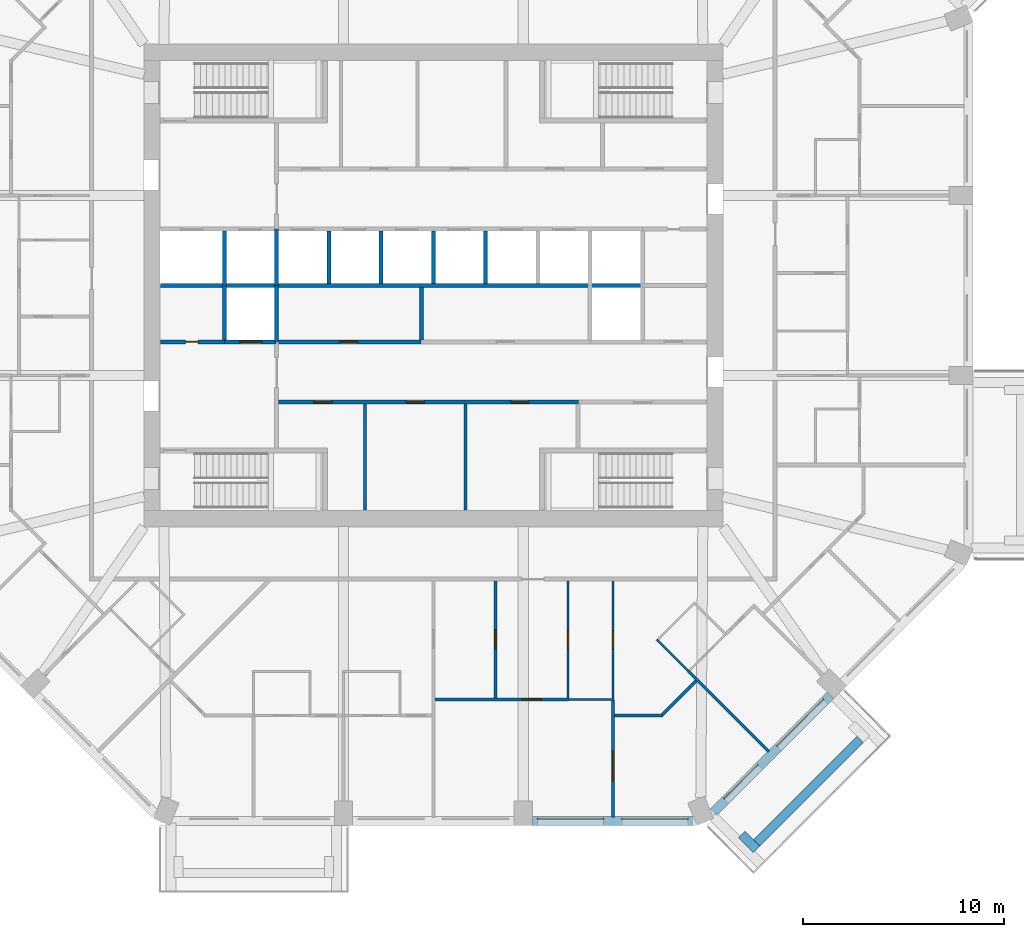
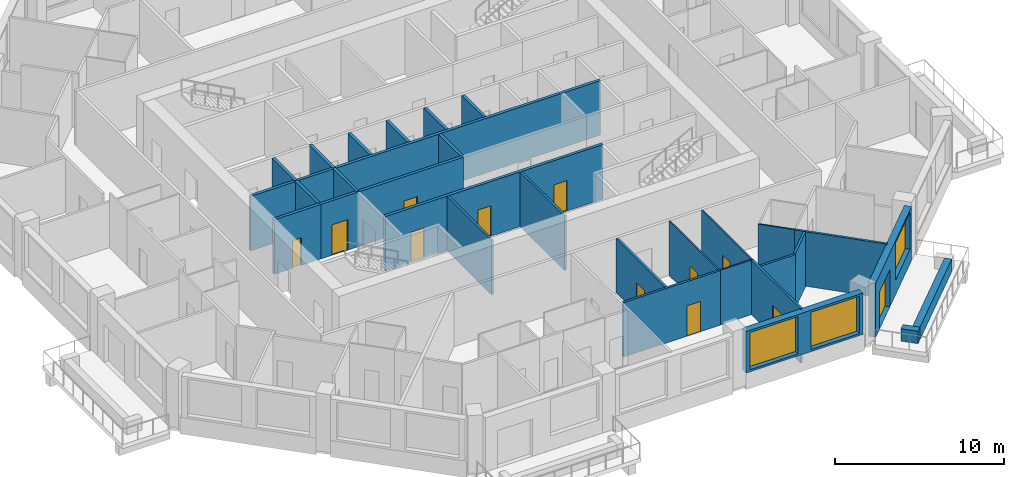
# One storey, part 5 of 12: 30 walls, 12 doors, 3 windows, 15 openings.
"""IFC4 building model written with IfcOpenShell, lengths in metres."""

import ifcopenshell
import ifcopenshell.guid

model = None  # the IFC model being written
_history = None  # IfcOwnerHistory: only IFC2X3 demands one
_inside = {}  # id of a spatial element -> (the spatial element, [elements in it])
_under = {}  # id of a project, library or spatial element -> (it, [spatial elements below it])
_declared = {}  # id of a project -> (the project, [libraries it declares])
_typed = {}  # id of a type object -> (the type object, [elements of that type])
_made_of = {}  # id of a material, layer set ... -> (it, [elements and type objects made of it])


def new_model(schema):
    """Start an empty IFC model of exactly this schema.

    Asked for "IFC4X3", IfcOpenShell would pick the latest addendum, in which some entities
    have other attributes; the version numbers below select the first issue.
    IFC2X3 requires an IfcOwnerHistory on every rooted entity: one is made here for all.
    """
    global model, _history
    if schema == "IFC4X3":
        model = ifcopenshell.file(schema_version=(4, 3, 0, 0))
    else:
        model = ifcopenshell.file(schema=schema)
    _inside.clear()
    _under.clear()
    _declared.clear()
    _typed.clear()
    _made_of.clear()
    _history = None
    if model.schema == "IFC2X3":
        org = make("IfcOrganization", Name="unknown")
        user = make(
            "IfcPersonAndOrganization",
            ThePerson=make("IfcPerson", FamilyName="unknown"),
            TheOrganization=org,
        )
        app = make(
            "IfcApplication",
            ApplicationDeveloper=org,
            Version="unknown",
            ApplicationFullName="unknown",
            ApplicationIdentifier="unknown",
        )
        _history = make(
            "IfcOwnerHistory",
            OwningUser=user,
            OwningApplication=app,
            ChangeAction="ADDED",
            CreationDate=0,
        )
    return model


def make(cls, **values):
    """One entity of the class cls with the attributes given. An attribute that is None is left unset."""
    return model.create_entity(
        cls, **{name: value for name, value in values.items() if value is not None}
    )


def rooted(cls, **values):
    """An entity with a GlobalId (a new one), such as an element, a storey or a relation."""
    return make(cls, GlobalId=ifcopenshell.guid.new(), OwnerHistory=_history, **values)


def si_unit(unit_type, name, prefix=None):
    """IfcSIUnit, for example si_unit("LENGTHUNIT", "METRE", prefix="MILLI")."""
    return make("IfcSIUnit", UnitType=unit_type, Prefix=prefix, Name=name)


def assignment(units):
    """IfcUnitAssignment: the units of a project."""
    return None if units is None else make("IfcUnitAssignment", Units=units)


def point(xyz):
    """IfcCartesianPoint."""
    return None if xyz is None else make("IfcCartesianPoint", Coordinates=xyz)


def direction(xyz):
    """IfcDirection."""
    return None if xyz is None else make("IfcDirection", DirectionRatios=xyz)


def frame(location, z_axis=None, x_axis=None):
    """IfcAxis2Placement3D, a coordinate frame: its origin and axes. An axis left out is left unset."""
    return make(
        "IfcAxis2Placement3D",
        Location=point(location),
        Axis=direction(z_axis),
        RefDirection=direction(x_axis),
    )


def frame_2d(location, x_axis=None):
    """IfcAxis2Placement2D, a coordinate frame in the plane: its origin and x axis."""
    return make(
        "IfcAxis2Placement2D", Location=point(location), RefDirection=direction(x_axis)
    )


def origin():
    """The frame at (0, 0, 0) with its axes left unset."""
    return frame((0.0, 0.0, 0.0))


def place(relative_to, where):
    """IfcLocalPlacement: puts the frame where relative to a parent placement (None: the world)."""
    return make(
        "IfcLocalPlacement", PlacementRelTo=relative_to, RelativePlacement=where
    )


def context(
    kind, dimensions, precision=None, world=None, true_north=None, identifier=None
):
    """IfcGeometricRepresentationContext, for example the 3D "Model" context."""
    return make(
        "IfcGeometricRepresentationContext",
        ContextIdentifier=identifier,
        ContextType=kind,
        CoordinateSpaceDimension=dimensions,
        Precision=precision,
        WorldCoordinateSystem=world,
        TrueNorth=true_north,
    )


def subcontext(parent, identifier, kind, view, scale=None):
    """IfcGeometricRepresentationSubContext, for example "Body" below "Model"."""
    return make(
        "IfcGeometricRepresentationSubContext",
        ContextIdentifier=identifier,
        ContextType=kind,
        ParentContext=parent,
        TargetScale=scale,
        TargetView=view,
    )


def project(units=None, contexts=None):
    """IfcProject with its units and contexts."""
    return rooted(
        "IfcProject",
        Name="project",
        RepresentationContexts=contexts,
        UnitsInContext=assignment(units),
    )


def spatial(cls, under=None, at=None, **own):
    """A site, building, storey or space (cls), placed at a placement, below another one or the project."""
    s = rooted(cls, ObjectPlacement=at, **own)
    if under is not None:
        _under.setdefault(under.id(), (under, []))[1].append(s)
    return s


def profile(cls, at=None, kind="AREA", **sizes):
    """A parametric profile (cls). Its sizes go by their IFC names, for example OverallWidth=200.0."""
    return make(cls, ProfileType=kind, Position=at, **sizes)


def rectangle(**sizes):
    """IfcRectangleProfileDef."""
    return profile("IfcRectangleProfileDef", **sizes)


def extrude(swept, where, along, depth):
    """IfcExtrudedAreaSolid: the profile swept, set in the frame where, extruded along a direction by depth."""
    return make(
        "IfcExtrudedAreaSolid",
        SweptArea=swept,
        Position=where,
        ExtrudedDirection=direction(along),
        Depth=depth,
    )


def shape(context_of_items, identifier, shape_type, items):
    """IfcShapeRepresentation: the items that make up one representation, for example the "Body"."""
    return make(
        "IfcShapeRepresentation",
        ContextOfItems=context_of_items,
        RepresentationIdentifier=identifier,
        RepresentationType=shape_type,
        Items=items,
    )


def material(Name=None, Category=None):
    """IfcMaterial."""
    return make("IfcMaterial", Name=Name, Category=Category)


def layer(
    of_material, thickness, ventilated=None, Name=None, Category=None, Priority=None
):
    """IfcMaterialLayer: one layer of a wall or slab, of a material (None: an air gap)."""
    return make(
        "IfcMaterialLayer",
        Material=of_material,
        LayerThickness=thickness,
        IsVentilated=ventilated,
        Name=Name,
        Category=Category,
        Priority=Priority,
    )


def layer_set(layers, Name=None):
    """IfcMaterialLayerSet."""
    return make("IfcMaterialLayerSet", MaterialLayers=layers, LayerSetName=Name)


def made_of(thing, what):
    """Note that an element or type object is made of a material, layer set ...; save() writes the relation."""
    if what is not None:
        _made_of.setdefault(what.id(), (what, []))[1].append(thing)
    return thing


def type_object(cls, material=None, **own):
    """A type object (cls), such as IfcWallType, which elements share."""
    return made_of(rooted(cls, **own), material)


def element(
    cls,
    number,
    at=None,
    inside=None,
    cuts=None,
    type_object=None,
    material=None,
    context=None,
    identifier="Body",
    shape_type=None,
    held_by="IfcProductDefinitionShape",
    body=None,
    shapes=None,
    **own,
):
    """One element of the class cls, such as IfcWall. Its Tag is "e" and its number.

    at: its placement. inside: the storey or other place that contains it. cuts: it is an
    opening in that element (IfcRelVoidsElement). A single representation is given by context,
    identifier, shape_type and body (its items); several are given by shapes. held_by: the class
    of the entity that holds the representations. save() writes the other relations.
    """
    e = rooted(cls, Tag="e%d" % number, ObjectPlacement=at, **own)
    if body is not None:
        shapes = [shape(context, identifier, shape_type, body)]
    if shapes is not None:
        e.Representation = make(held_by, Representations=shapes)
    if inside is not None:
        _inside.setdefault(inside.id(), (inside, []))[1].append(e)
    if cuts is not None:
        rooted(
            "IfcRelVoidsElement", RelatingBuildingElement=cuts, RelatedOpeningElement=e
        )
    if type_object is not None:
        _typed.setdefault(type_object.id(), (type_object, []))[1].append(e)
    return made_of(e, material)


def fill(opening, filler):
    """IfcRelFillsElement: the door or window that sits in an opening."""
    return rooted(
        "IfcRelFillsElement",
        RelatingOpeningElement=opening,
        RelatedBuildingElement=filler,
    )


def aggregate(whole, parts):
    """IfcRelAggregates: a whole, such as a stair, and the parts it consists of."""
    return rooted("IfcRelAggregates", RelatingObject=whole, RelatedObjects=parts)


def save(model, path):
    """Write the relations noted so far, then the file.

    IfcRelAggregates (storeys below a building ...), IfcRelContainedInSpatialStructure (elements
    in a storey), IfcRelDefinesByType, IfcRelAssociatesMaterial and IfcRelDeclares: one each for
    every whole, place, type object, material and project.
    """
    for whole, parts in _under.values():
        aggregate(whole, parts)
    for where, things in _inside.values():
        rooted(
            "IfcRelContainedInSpatialStructure",
            RelatedElements=things,
            RelatingStructure=where,
        )
    for kind, things in _typed.values():
        rooted("IfcRelDefinesByType", RelatedObjects=things, RelatingType=kind)
    for what, things in _made_of.values():
        rooted("IfcRelAssociatesMaterial", RelatedObjects=things, RelatingMaterial=what)
    for by, libraries in _declared.values():
        rooted("IfcRelDeclares", RelatingContext=by, RelatedDefinitions=libraries)
    model.write(path)


model = new_model("IFC4")

# Units and contexts
model_context = context("Model", 3, precision=1e-05, world=origin(), true_north=direction((0.0, 1.0)))
body_context = subcontext(model_context, "Body", "Model", "MODEL_VIEW")
ifc_project = project(units=[si_unit("LENGTHUNIT", "METRE"), si_unit("AREAUNIT", "SQUARE_METRE"), si_unit("VOLUMEUNIT", "CUBIC_METRE"), si_unit("PLANEANGLEUNIT", "RADIAN"), si_unit("MASSUNIT", "GRAM", prefix="KILO")], contexts=[model_context])

# Site, building, storey
site_placement = place(None, origin())
site = spatial("IfcSite", under=ifc_project, at=site_placement, CompositionType="ELEMENT")
building_placement = place(site_placement, origin())
building = spatial("IfcBuilding", under=site, at=building_placement, Name="Msitu Wima Residences", CompositionType="ELEMENT")
storey_placement = place(building_placement, frame((0.0, 0.0, 123.300048828125)))
storey = spatial("IfcBuildingStorey", under=building, at=storey_placement, Name="L28", CompositionType="ELEMENT", Elevation=123.300048828125)

# Walls
ifc_material_1 = material(Name="Facing brick")
ifc_layer_1 = layer(ifc_material_1, 0.06494140625, Name="Facing brick")
ifc_material_2 = material(Name="Concrete C40/50", Category="concrete")
ifc_layer_2 = layer(ifc_material_2, 0.156005859375, Name="Concrete C40/50")
ifc_material_3 = material(Name="Waterproofing membrane")
ifc_layer_3 = layer(ifc_material_3, 0.00390625, Name="Waterproofing membrane")
ifc_material_4 = material(Name="Planting soil and planting")
ifc_layer_4 = layer(ifc_material_4, 0.22509765625, Name="Planting soil and planting")
ifc_layer_set_1 = layer_set([ifc_layer_1, ifc_layer_2, ifc_layer_3, ifc_layer_4], Name="Concrete C40/50")
wall_type_1 = type_object("IfcWallType", Name="Balcony planter PLANTER PL450", PredefinedType="USERDEFINED", material=ifc_layer_set_1)
wall_1_placement = place(storey_placement, frame((16.0751953125, -27.725830078125, 0.0), z_axis=(0.0, 0.0, 1.0), x_axis=(0.707106781187, 0.707106781187, 0.0)))
element("IfcWall", 1, at=wall_1_placement, inside=storey, type_object=wall_type_1, Name="Balcony planter SE0 L28", ObjectType="PLANTER", PredefinedType="USERDEFINED", context=body_context, shape_type="SweptSolid", body=[
    extrude(rectangle(XDim=7.288330078125, YDim=0.449951171875, at=frame_2d((3.64404296875, 0.0))), origin(), (0.0, 0.0, 1.0), 0.89990234375),
])
wall_2_placement = place(storey_placement, frame((15.332763671875, -27.301513671875, 0.0), z_axis=(0.0, 0.0, 1.0), x_axis=(0.707106781187, -0.707106781187, 0.0)))
element("IfcWall", 2, at=wall_2_placement, inside=storey, type_object=wall_type_1, Name="Balcony planter SE0 L28", ObjectType="PLANTER", PredefinedType="USERDEFINED", context=body_context, shape_type="SweptSolid", body=[
    extrude(rectangle(XDim=1.050048828125, YDim=0.449951171875, at=frame_2d((0.52490234375, 0.0))), origin(), (0.0, 0.0, 1.0), 0.89990234375),
])

# Wall, openings, windows
ifc_material_5 = material(Name="Brick (red buff mix)", Category="masonry")
ifc_layer_5 = layer(ifc_material_5, 0.449951171875)
ifc_layer_set_2 = layer_set([ifc_layer_5], Name="Brick (red buff mix)")
wall_type_2 = type_object("IfcWallType", Name="Brick infill wall BW450", PredefinedType="SOLIDWALL", material=ifc_layer_set_2)
wall_3_placement = place(storey_placement, frame((4.918701171875, -26.625, 0.89990234375), z_axis=(0.0, 0.0, 1.0), x_axis=(1.0, 0.0, 0.0)))
wall_3 = element("IfcWall", 3, at=wall_3_placement, inside=storey, type_object=wall_type_2, Name="Brick infill wall L28 S2", PredefinedType="SOLIDWALL", context=body_context, shape_type="SweptSolid", body=[
    extrude(rectangle(XDim=8.0, YDim=0.449951171875, at=frame_2d((4.0, 0.0))), origin(), (0.0, 0.0, 1.0), 3.0),
])
opening_1_placement = place(wall_3_placement, frame((0.25, 0.0, 0.14990234375)))
opening_1 = element("IfcOpeningElement", 4, at=opening_1_placement, cuts=wall_3, Name="Opening W27-29.020", PredefinedType="OPENING", context=body_context, shape_type="SweptSolid", body=[
    extrude(rectangle(XDim=3.300048828125, YDim=2.699951171875, at=frame_2d((1.64990234375, 1.35009765625))), frame((0.0, 0.23486328125, 0.0), z_axis=(0.0, -1.0, 0.0), x_axis=(1.0, 0.0, 0.0)), (0.0, 0.0, 1.0), 0.469970703125),
])
opening_2_placement = place(wall_3_placement, frame((4.4501953125, 0.0, 0.14990234375)))
opening_2 = element("IfcOpeningElement", 5, at=opening_2_placement, cuts=wall_3, Name="Opening W27-29.021", PredefinedType="OPENING", context=body_context, shape_type="SweptSolid", body=[
    extrude(rectangle(XDim=3.300048828125, YDim=2.699951171875, at=frame_2d((1.64990234375, 1.35009765625))), frame((0.0, 0.23486328125, 0.0), z_axis=(0.0, -1.0, 0.0), x_axis=(1.0, 0.0, 0.0)), (0.0, 0.0, 1.0), 0.469970703125),
])
ifc_material_6 = material(Name="Anodised aluminium, bronze finish, clear low-emissivity double glazing", Category="aluminium")
window_type = type_object("IfcWindowType", Name="Window W3300x2700", PartitioningType="DOUBLE_PANEL_VERTICAL", PredefinedType="WINDOW", material=ifc_material_6)
window_1_placement = place(opening_1_placement, origin())
window_1 = element("IfcWindow", 6, at=window_1_placement, inside=storey, type_object=window_type, Name="Window L28 S2.1", OverallHeight=2.699951171875, OverallWidth=3.300048828125, PartitioningType="SINGLE_PANEL", PredefinedType="WINDOW", context=body_context, shape_type="SweptSolid", body=[
    extrude(rectangle(XDim=3.300048828125, YDim=2.699951171875, at=frame_2d((1.64990234375, 1.35009765625))), frame((0.0, 0.135009765625, 0.0), z_axis=(0.0, -1.0, 0.0), x_axis=(1.0, 0.0, 0.0)), (0.0, 0.0, 1.0), 0.06005859375),
])
fill(opening_1, window_1)
window_2_placement = place(opening_2_placement, origin())
window_2 = element("IfcWindow", 7, at=window_2_placement, inside=storey, type_object=window_type, Name="Window L28 S2.2", OverallHeight=2.699951171875, OverallWidth=3.300048828125, PartitioningType="SINGLE_PANEL", PredefinedType="WINDOW", context=body_context, shape_type="SweptSolid", body=[
    extrude(rectangle(XDim=3.300048828125, YDim=2.699951171875, at=frame_2d((1.64990234375, 1.35009765625))), frame((0.0, 0.135009765625, 0.0), z_axis=(0.0, -1.0, 0.0), x_axis=(1.0, 0.0, 0.0)), (0.0, 0.0, 1.0), 0.06005859375),
])
fill(opening_2, window_2)

# Wall, openings, door, window
wall_4_placement = place(storey_placement, frame((13.909423828125, -26.214599609375, 0.0), z_axis=(0.0, 0.0, 1.0), x_axis=(0.707106781187, 0.707106781187, 0.0)))
wall_4 = element("IfcWall", 8, at=wall_4_placement, inside=storey, type_object=wall_type_2, Name="Brick infill wall L28 SE0", PredefinedType="SOLIDWALL", context=body_context, shape_type="SweptSolid", body=[
    extrude(rectangle(XDim=8.251220703125, YDim=0.449951171875, at=frame_2d((4.12548828125, 0.0))), origin(), (0.0, 0.0, 1.0), 3.89990234375),
])
opening_3_placement = place(wall_4_placement, frame((0.86279296875, 0.0, 0.0)))
opening_3 = element("IfcOpeningElement", 9, at=opening_3_placement, cuts=wall_4, Name="Opening D27-29.006", PredefinedType="OPENING", context=body_context, shape_type="SweptSolid", body=[
    extrude(rectangle(XDim=2.39990234375, YDim=2.699951171875, at=frame_2d((1.199951171875, 1.35009765625))), frame((0.0, 0.23486328125, 0.0), z_axis=(0.0, -1.0, 0.0), x_axis=(1.0, 0.0, 0.0)), (0.0, 0.0, 1.0), 0.469970703125),
])
opening_4_placement = place(wall_4_placement, frame((4.57568359375, 0.0, 1.050048828125)))
opening_4 = element("IfcOpeningElement", 10, at=opening_4_placement, cuts=wall_4, Name="Opening W27-29.022", PredefinedType="OPENING", context=body_context, shape_type="SweptSolid", body=[
    extrude(rectangle(XDim=3.300048828125, YDim=2.699951171875, at=frame_2d((1.64990234375, 1.35009765625))), frame((0.0, 0.23486328125, 0.0), z_axis=(0.0, -1.0, 0.0), x_axis=(1.0, 0.0, 0.0)), (0.0, 0.0, 1.0), 0.469970703125),
])
door_type_1 = type_object("IfcDoorType", Name="Balcony door D2400x2700", OperationType="SLIDING_TO_LEFT", PredefinedType="DOOR", material=ifc_material_6)
door_1_placement = place(opening_3_placement, origin())
door_1 = element("IfcDoor", 11, at=door_1_placement, inside=storey, type_object=door_type_1, Name="Balcony door L28 SE0", OperationType="SINGLE_SWING_LEFT", OverallHeight=2.699951171875, OverallWidth=2.39990234375, PredefinedType="DOOR", context=body_context, shape_type="SweptSolid", body=[
    extrude(rectangle(XDim=2.39990234375, YDim=2.699951171875, at=frame_2d((1.199951171875, 1.35009765625))), frame((0.0, 0.1298828125, 0.0), z_axis=(0.0, -1.0, 0.0), x_axis=(1.0, 0.0, 0.0)), (0.0, 0.0, 1.0), 0.050048828125),
])
fill(opening_3, door_1)
window_3_placement = place(opening_4_placement, origin())
window_3 = element("IfcWindow", 12, at=window_3_placement, inside=storey, type_object=window_type, Name="Window L28 SE0.2", OverallHeight=2.699951171875, OverallWidth=3.300048828125, PartitioningType="SINGLE_PANEL", PredefinedType="WINDOW", context=body_context, shape_type="SweptSolid", body=[
    extrude(rectangle(XDim=3.300048828125, YDim=2.699951171875, at=frame_2d((1.64990234375, 1.35009765625))), frame((0.0, 0.135009765625, 0.0), z_axis=(0.0, -1.0, 0.0), x_axis=(1.0, 0.0, 0.0)), (0.0, 0.0, 1.0), 0.06005859375),
])
fill(opening_4, window_3)

# Wall, opening, door
ifc_material_7 = material(Name="Plaster")
ifc_layer_6 = layer(ifc_material_7, 0.011962890625, Name="Plaster")
ifc_material_8 = material(Name="Concrete blockwork", Category="masonry")
ifc_layer_7 = layer(ifc_material_8, 0.176025390625, Name="Concrete blockwork")
ifc_layer_8 = layer(ifc_material_7, 0.011962890625, Name="Plaster")
ifc_layer_set_3 = layer_set([ifc_layer_6, ifc_layer_7, ifc_layer_8], Name="Concrete blockwork")
wall_type_3 = type_object("IfcWallType", Name="Corridor wall FW200", PredefinedType="PARTITIONING", material=ifc_layer_set_3)
wall_5_placement = place(storey_placement, frame((-7.820068359375, -2.800048828125, 0.0), z_axis=(0.0, 0.0, 1.0), x_axis=(1.0, 0.0, 0.0)))
wall_5 = element("IfcWall", 13, at=wall_5_placement, inside=storey, type_object=wall_type_3, Name="Corridor wall", PredefinedType="PARTITIONING", context=body_context, shape_type="SweptSolid", body=[
    extrude(rectangle(XDim=7.199951171875, YDim=0.199951171875, at=frame_2d((3.60009765625, 0.0))), origin(), (0.0, 0.0, 1.0), 3.949951171875),
])
opening_5_placement = place(wall_5_placement, frame((3.14990234375, 0.0, 0.0)))
opening_5 = element("IfcOpeningElement", 14, at=opening_5_placement, cuts=wall_5, Name="Opening D27-29.029", PredefinedType="OPENING", context=body_context, shape_type="SweptSolid", body=[
    extrude(rectangle(XDim=0.89990234375, YDim=2.199951171875, at=frame_2d((0.449951171875, 1.10009765625))), frame((0.0, 0.10986328125, 0.0), z_axis=(0.0, -1.0, 0.0), x_axis=(1.0, 0.0, 0.0)), (0.0, 0.0, 1.0), 0.219970703125),
])
ifc_material_9 = material(Name="Timber flush door", Category="wood")
door_type_2 = type_object("IfcDoorType", Name="Service door D05 900x2200", OperationType="SINGLE_SWING_LEFT", PredefinedType="DOOR", material=ifc_material_9)
door_2_placement = place(opening_5_placement, origin())
door_2 = element("IfcDoor", 15, at=door_2_placement, inside=storey, type_object=door_type_2, Name="Service door", OperationType="SINGLE_SWING_LEFT", OverallHeight=2.199951171875, OverallWidth=0.89990234375, PredefinedType="DOOR", context=body_context, shape_type="SweptSolid", body=[
    extrude(rectangle(XDim=0.89990234375, YDim=2.199951171875, at=frame_2d((0.449951171875, 1.10009765625))), frame((0.0, 0.02490234375, 0.0), z_axis=(0.0, -1.0, 0.0), x_axis=(1.0, 0.0, 0.0)), (0.0, 0.0, 1.0), 0.050048828125),
])
fill(opening_5, door_2)

# Wall, openings, doors
wall_6_placement = place(storey_placement, frame((-7.699951171875, -5.800048828125, 0.0), z_axis=(0.0, 0.0, 1.0), x_axis=(1.0, 0.0, 0.0)))
wall_6 = element("IfcWall", 16, at=wall_6_placement, inside=storey, type_object=wall_type_3, Name="Corridor wall", PredefinedType="PARTITIONING", context=body_context, shape_type="SweptSolid", body=[
    extrude(rectangle(XDim=14.919921875, YDim=0.199951171875, at=frame_2d((7.4599609375, 0.0))), origin(), (0.0, 0.0, 1.0), 3.949951171875),
])
opening_6_placement = place(wall_6_placement, frame((1.75, 0.0, 0.0)))
opening_6 = element("IfcOpeningElement", 17, at=opening_6_placement, cuts=wall_6, Name="Opening D27-29.021", PredefinedType="OPENING", context=body_context, shape_type="SweptSolid", body=[
    extrude(rectangle(XDim=0.89990234375, YDim=2.199951171875, at=frame_2d((0.449951171875, 1.10009765625))), frame((0.0, 0.10986328125, 0.0), z_axis=(0.0, -1.0, 0.0), x_axis=(1.0, 0.0, 0.0)), (0.0, 0.0, 1.0), 0.219970703125),
])
opening_7_placement = place(wall_6_placement, frame((6.35009765625, 0.0, 0.0)))
opening_7 = element("IfcOpeningElement", 18, at=opening_7_placement, cuts=wall_6, Name="Opening D27-29.022", PredefinedType="OPENING", context=body_context, shape_type="SweptSolid", body=[
    extrude(rectangle(XDim=0.89990234375, YDim=2.199951171875, at=frame_2d((0.449951171875, 1.10009765625))), frame((0.0, 0.10986328125, 0.0), z_axis=(0.0, -1.0, 0.0), x_axis=(1.0, 0.0, 0.0)), (0.0, 0.0, 1.0), 0.219970703125),
])
opening_8_placement = place(wall_6_placement, frame((11.550048828125, 0.0, 0.0)))
opening_8 = element("IfcOpeningElement", 19, at=opening_8_placement, cuts=wall_6, Name="Opening D27-29.023", PredefinedType="OPENING", context=body_context, shape_type="SweptSolid", body=[
    extrude(rectangle(XDim=0.89990234375, YDim=2.199951171875, at=frame_2d((0.449951171875, 1.10009765625))), frame((0.0, 0.10986328125, 0.0), z_axis=(0.0, -1.0, 0.0), x_axis=(1.0, 0.0, 0.0)), (0.0, 0.0, 1.0), 0.219970703125),
])
door_3_placement = place(opening_6_placement, origin())
door_3 = element("IfcDoor", 20, at=door_3_placement, inside=storey, type_object=door_type_2, Name="Service door", OperationType="SINGLE_SWING_LEFT", OverallHeight=2.199951171875, OverallWidth=0.89990234375, PredefinedType="DOOR", context=body_context, shape_type="SweptSolid", body=[
    extrude(rectangle(XDim=0.89990234375, YDim=2.199951171875, at=frame_2d((0.449951171875, 1.10009765625))), frame((0.0, 0.02490234375, 0.0), z_axis=(0.0, -1.0, 0.0), x_axis=(1.0, 0.0, 0.0)), (0.0, 0.0, 1.0), 0.050048828125),
])
fill(opening_6, door_3)
door_4_placement = place(opening_7_placement, origin())
door_4 = element("IfcDoor", 21, at=door_4_placement, inside=storey, type_object=door_type_2, Name="Service door", OperationType="SINGLE_SWING_RIGHT", OverallHeight=2.199951171875, OverallWidth=0.89990234375, PredefinedType="DOOR", context=body_context, shape_type="SweptSolid", body=[
    extrude(rectangle(XDim=0.89990234375, YDim=2.199951171875, at=frame_2d((0.449951171875, 1.10009765625))), frame((0.0, 0.02490234375, 0.0), z_axis=(0.0, -1.0, 0.0), x_axis=(1.0, 0.0, 0.0)), (0.0, 0.0, 1.0), 0.050048828125),
])
fill(opening_7, door_4)
door_5_placement = place(opening_8_placement, origin())
door_5 = element("IfcDoor", 22, at=door_5_placement, inside=storey, type_object=door_type_2, Name="Service door", OperationType="SINGLE_SWING_RIGHT", OverallHeight=2.199951171875, OverallWidth=0.89990234375, PredefinedType="DOOR", context=body_context, shape_type="SweptSolid", body=[
    extrude(rectangle(XDim=0.89990234375, YDim=2.199951171875, at=frame_2d((0.449951171875, 1.10009765625))), frame((0.0, 0.02490234375, 0.0), z_axis=(0.0, -1.0, 0.0), x_axis=(1.0, 0.0, 0.0)), (0.0, 0.0, 1.0), 0.050048828125),
])
fill(opening_8, door_5)

# Wall
ifc_layer_9 = layer(ifc_material_7, 0.011962890625, Name="Plaster")
ifc_layer_10 = layer(ifc_material_8, 0.1259765625, Name="Concrete blockwork")
ifc_layer_11 = layer(ifc_material_7, 0.011962890625, Name="Plaster")
ifc_layer_set_4 = layer_set([ifc_layer_9, ifc_layer_10, ifc_layer_11], Name="Concrete blockwork")
wall_type_4 = type_object("IfcWallType", Name="Partition PW150", PredefinedType="PARTITIONING", material=ifc_layer_set_4)
wall_7_placement = place(storey_placement, frame((-3.39990234375, -11.169921875, 0.0), z_axis=(0.0, 0.0, 1.0), x_axis=(0.0, 1.0, 0.0)))
element("IfcWall", 23, at=wall_7_placement, inside=storey, type_object=wall_type_4, Name="Partition", PredefinedType="PARTITIONING", context=body_context, shape_type="SweptSolid", body=[
    extrude(rectangle(XDim=5.27001953125, YDim=0.14990234375, at=frame_2d((2.635009765625, 0.0))), origin(), (0.0, 0.0, 1.0), 3.949951171875),
])

# Wall, opening, door
wall_8_placement = place(storey_placement, frame((0.074951171875, -20.60009765625, 0.0), z_axis=(0.0, 0.0, 1.0), x_axis=(1.0, 0.0, 0.0)))
wall_8 = element("IfcWall", 24, at=wall_8_placement, inside=storey, type_object=wall_type_4, Name="Partition", PredefinedType="PARTITIONING", context=body_context, shape_type="SweptSolid", body=[
    extrude(rectangle(XDim=6.64501953125, YDim=0.14990234375, at=frame_2d((3.322509765625, 0.0))), origin(), (0.0, 0.0, 1.0), 3.949951171875),
])
opening_9_placement = place(wall_8_placement, frame((4.35009765625, 0.0, 0.0)))
opening_9 = element("IfcOpeningElement", 25, at=opening_9_placement, cuts=wall_8, Name="Opening D27-29.069", PredefinedType="OPENING", context=body_context, shape_type="SweptSolid", body=[
    extrude(rectangle(XDim=0.949951171875, YDim=2.199951171875, at=frame_2d((0.47509765625, 1.10009765625))), frame((0.0, 0.0849609375, 0.0), z_axis=(0.0, -1.0, 0.0), x_axis=(1.0, 0.0, 0.0)), (0.0, 0.0, 1.0), 0.169921875),
])
door_type_3 = type_object("IfcDoorType", Name="Room door D12 950x2200", OperationType="SINGLE_SWING_LEFT", PredefinedType="DOOR", material=ifc_material_9)
door_6_placement = place(opening_9_placement, origin())
door_6 = element("IfcDoor", 26, at=door_6_placement, inside=storey, type_object=door_type_3, Name="Room door", OperationType="SINGLE_SWING_LEFT", OverallHeight=2.199951171875, OverallWidth=0.949951171875, PredefinedType="DOOR", context=body_context, shape_type="SweptSolid", body=[
    extrude(rectangle(XDim=0.949951171875, YDim=2.199951171875, at=frame_2d((0.47509765625, 1.10009765625))), frame((0.0, 0.02490234375, 0.0), z_axis=(0.0, -1.0, 0.0), x_axis=(1.0, 0.0, 0.0)), (0.0, 0.0, 1.0), 0.050048828125),
])
fill(opening_9, door_6)

# Wall
wall_9_placement = place(storey_placement, frame((1.60009765625, -11.169921875, 0.0), z_axis=(0.0, 0.0, 1.0), x_axis=(0.0, 1.0, 0.0)))
element("IfcWall", 27, at=wall_9_placement, inside=storey, type_object=wall_type_4, Name="Partition", PredefinedType="PARTITIONING", context=body_context, shape_type="SweptSolid", body=[
    extrude(rectangle(XDim=5.27001953125, YDim=0.14990234375, at=frame_2d((2.635009765625, 0.0))), origin(), (0.0, 0.0, 1.0), 3.949951171875),
])

# Wall, opening, door
wall_10_placement = place(storey_placement, frame((3.10009765625, -20.52490234375, 0.0), z_axis=(0.0, 0.0, 1.0), x_axis=(0.0, 1.0, 0.0)))
wall_10 = element("IfcWall", 28, at=wall_10_placement, inside=storey, type_object=wall_type_4, Name="Partition", PredefinedType="PARTITIONING", context=body_context, shape_type="SweptSolid", body=[
    extrude(rectangle(XDim=5.824951171875, YDim=0.14990234375, at=frame_2d((2.91259765625, 0.0))), origin(), (0.0, 0.0, 1.0), 3.949951171875),
])
opening_10_placement = place(wall_10_placement, frame((2.449951171875, 0.0, 0.0)))
opening_10 = element("IfcOpeningElement", 29, at=opening_10_placement, cuts=wall_10, Name="Opening D27-29.072", PredefinedType="OPENING", context=body_context, shape_type="SweptSolid", body=[
    extrude(rectangle(XDim=0.949951171875, YDim=2.199951171875, at=frame_2d((0.47509765625, 1.10009765625))), frame((0.0, 0.0849609375, 0.0), z_axis=(0.0, -1.0, 0.0), x_axis=(1.0, 0.0, 0.0)), (0.0, 0.0, 1.0), 0.169921875),
])
door_7_placement = place(opening_10_placement, origin())
door_7 = element("IfcDoor", 30, at=door_7_placement, inside=storey, type_object=door_type_3, Name="Room door", OperationType="SINGLE_SWING_RIGHT", OverallHeight=2.199951171875, OverallWidth=0.949951171875, PredefinedType="DOOR", context=body_context, shape_type="SweptSolid", body=[
    extrude(rectangle(XDim=0.949951171875, YDim=2.199951171875, at=frame_2d((0.47509765625, 1.10009765625))), frame((0.0, 0.02490234375, 0.0), z_axis=(0.0, -1.0, 0.0), x_axis=(1.0, 0.0, 0.0)), (0.0, 0.0, 1.0), 0.050048828125),
])
fill(opening_10, door_7)

wall_11_placement = place(storey_placement, frame((8.937255859375, -26.455078125, 0.0), z_axis=(0.0, 0.0, 1.0), x_axis=(0.0, 1.0, 0.0)))
wall_11 = element("IfcWall", 31, at=wall_11_placement, inside=storey, type_object=wall_type_4, Name="Partition", PredefinedType="PARTITIONING", context=body_context, shape_type="SweptSolid", body=[
    extrude(rectangle(XDim=5.8349609375, YDim=0.14990234375, at=frame_2d((2.91748046875, 0.0))), origin(), (0.0, 0.0, 1.0), 3.949951171875),
])
opening_11_placement = place(wall_11_placement, frame((1.800048828125, 0.0, 0.0)))
opening_11 = element("IfcOpeningElement", 32, at=opening_11_placement, cuts=wall_11, Name="Opening D27-29.071", PredefinedType="OPENING", context=body_context, shape_type="SweptSolid", body=[
    extrude(rectangle(XDim=1.5, YDim=2.199951171875, at=frame_2d((0.75, 1.10009765625))), frame((0.0, 0.0849609375, 0.0), z_axis=(0.0, -1.0, 0.0), x_axis=(1.0, 0.0, 0.0)), (0.0, 0.0, 1.0), 0.169921875),
])
ifc_material_10 = material(Name="Timber double door", Category="wood")
door_type_4 = type_object("IfcDoorType", Name="Double door D04 1500x2200", OperationType="DOUBLE_DOOR_SINGLE_SWING", PredefinedType="DOOR", material=ifc_material_10)
door_8_placement = place(opening_11_placement, origin())
door_8 = element("IfcDoor", 33, at=door_8_placement, inside=storey, type_object=door_type_4, Name="Double door", OperationType="DOUBLE_DOOR_SINGLE_SWING", OverallHeight=2.199951171875, OverallWidth=1.5, PredefinedType="DOOR", context=body_context, shape_type="SweptSolid", body=[
    extrude(rectangle(XDim=1.5, YDim=2.199951171875, at=frame_2d((0.75, 1.10009765625))), frame((0.0, 0.02490234375, 0.0), z_axis=(0.0, -1.0, 0.0), x_axis=(1.0, 0.0, 0.0)), (0.0, 0.0, 1.0), 0.050048828125),
])
fill(opening_11, door_8)

# Walls
wall_12_placement = place(storey_placement, frame((9.01220703125, -21.39990234375, 0.0), z_axis=(0.0, 0.0, 1.0), x_axis=(1.0, 0.0, 0.0)))
element("IfcWall", 34, at=wall_12_placement, inside=storey, type_object=wall_type_4, Name="Partition", PredefinedType="PARTITIONING", context=body_context, shape_type="SweptSolid", body=[
    extrude(rectangle(XDim=2.397705078125, YDim=0.14990234375, at=frame_2d((1.19873046875, 0.0))), origin(), (0.0, 0.0, 1.0), 3.949951171875),
])
wall_13_placement = place(storey_placement, frame((11.387939453125, -21.346923828125, 0.0), z_axis=(0.0, 0.0, 1.0), x_axis=(0.707106781187, 0.707106781187, 0.0)))
element("IfcWall", 35, at=wall_13_placement, inside=storey, type_object=wall_type_4, Name="Partition", PredefinedType="PARTITIONING", context=body_context, shape_type="SweptSolid", body=[
    extrude(rectangle(XDim=2.373046875, YDim=0.14990234375, at=frame_2d((1.1865234375, 0.0))), origin(), (0.0, 0.0, 1.0), 3.949951171875),
])
wall_14_placement = place(storey_placement, frame((12.680419921875, -19.177490234375, 0.0), z_axis=(0.0, 0.0, 1.0), x_axis=(0.707106781187, -0.707106781187, 0.0)))
element("IfcWall", 36, at=wall_14_placement, inside=storey, type_object=wall_type_4, Name="Partition", PredefinedType="PARTITIONING", context=body_context, shape_type="SweptSolid", body=[
    extrude(rectangle(XDim=5.675048828125, YDim=0.14990234375, at=frame_2d((2.83740234375, 0.0))), origin(), (0.0, 0.0, 1.0), 3.949951171875),
])

# Wall, opening, door
ifc_layer_12 = layer(ifc_material_7, 0.011962890625, Name="Plaster")
ifc_material_11 = material(Name="Reinforced concrete blockwork", Category="masonry")
ifc_layer_13 = layer(ifc_material_11, 0.176025390625, Name="Reinforced concrete blockwork")
ifc_layer_14 = layer(ifc_material_7, 0.011962890625, Name="Plaster")
ifc_layer_set_5 = layer_set([ifc_layer_12, ifc_layer_13, ifc_layer_14], Name="Reinforced concrete blockwork")
wall_type_5 = type_object("IfcWallType", Name="Plant and riser wall PL200", PredefinedType="PARTITIONING", material=ifc_layer_set_5)
wall_15_placement = place(storey_placement, frame((-13.570068359375, -2.800048828125, 0.0), z_axis=(0.0, 0.0, 1.0), x_axis=(1.0, 0.0, 0.0)))
wall_15 = element("IfcWall", 37, at=wall_15_placement, inside=storey, type_object=wall_type_5, Name="Plant and riser wall", PredefinedType="PARTITIONING", context=body_context, shape_type="SweptSolid", body=[
    extrude(rectangle(XDim=3.190185546875, YDim=0.199951171875, at=frame_2d((1.59521484375, 0.0))), origin(), (0.0, 0.0, 1.0), 3.949951171875),
])
opening_12_placement = place(wall_15_placement, frame((1.25, 0.0, 0.0)))
opening_12 = element("IfcOpeningElement", 38, at=opening_12_placement, cuts=wall_15, Name="Opening D27-29.028", PredefinedType="OPENING", context=body_context, shape_type="SweptSolid", body=[
    extrude(rectangle(XDim=0.60009765625, YDim=2.0, at=frame_2d((0.300048828125, 1.0))), frame((0.0, 0.10986328125, 0.0), z_axis=(0.0, -1.0, 0.0), x_axis=(1.0, 0.0, 0.0)), (0.0, 0.0, 1.0), 0.219970703125),
])
ifc_material_12 = material(Name="Steel access door, fire resisting", Category="steel")
door_type_5 = type_object("IfcDoorType", Name="Riser access door D08 600x2000", OperationType="SINGLE_SWING_LEFT", PredefinedType="DOOR", material=ifc_material_12)
door_9_placement = place(opening_12_placement, origin())
door_9 = element("IfcDoor", 39, at=door_9_placement, inside=storey, type_object=door_type_5, Name="Riser access door", OperationType="SINGLE_SWING_RIGHT", OverallHeight=2.0, OverallWidth=0.60009765625, PredefinedType="DOOR", context=body_context, shape_type="SweptSolid", body=[
    extrude(rectangle(XDim=0.60009765625, YDim=2.0, at=frame_2d((0.300048828125, 1.0))), frame((0.0, 0.02490234375, 0.0), z_axis=(0.0, -1.0, 0.0), x_axis=(1.0, 0.0, 0.0)), (0.0, 0.0, 1.0), 0.050048828125),
])
fill(opening_12, door_9)

# Walls
wall_16_placement = place(storey_placement, frame((-0.60009765625, -2.699951171875, 0.0), z_axis=(0.0, 0.0, 1.0), x_axis=(0.0, 1.0, 0.0)))
element("IfcWall", 40, at=wall_16_placement, inside=storey, type_object=wall_type_5, Name="Plant and riser wall", PredefinedType="PARTITIONING", context=body_context, shape_type="SweptSolid", body=[
    extrude(rectangle(XDim=2.599853515625, YDim=0.199951171875, at=frame_2d((1.2998046875, 0.0))), origin(), (0.0, 0.0, 1.0), 3.949951171875),
])
ifc_material_13 = material(Name="Fire-rated board")
ifc_layer_15 = layer(ifc_material_13, 0.02490234375, Name="Fire-rated board")
ifc_material_14 = material(Name="Light-gauge stud framing with mineral wool")
ifc_layer_16 = layer(ifc_material_14, 0.14990234375, Name="Light-gauge stud framing with mineral wool")
ifc_layer_17 = layer(ifc_material_13, 0.02490234375, Name="Fire-rated board")
ifc_layer_set_6 = layer_set([ifc_layer_15, ifc_layer_16, ifc_layer_17], Name="Light-gauge stud framing with mineral wool")
wall_type_6 = type_object("IfcWallType", Name="Shaft wall SH200", PredefinedType="PARTITIONING", material=ifc_layer_set_6)
wall_17_placement = place(storey_placement, frame((-13.570068359375, 0.0, 0.0), z_axis=(0.0, 0.0, 1.0), x_axis=(1.0, 0.0, 0.0)))
element("IfcWall", 41, at=wall_17_placement, inside=storey, type_object=wall_type_6, Name="Shaft wall", PredefinedType="PARTITIONING", context=body_context, shape_type="SweptSolid", body=[
    extrude(rectangle(XDim=23.969970703125, YDim=0.199951171875, at=frame_2d((11.98486328125, 0.0))), origin(), (0.0, 0.0, 1.0), 3.949951171875),
])
wall_18_placement = place(storey_placement, frame((-10.39990234375, -2.699951171875, 0.0), z_axis=(0.0, 0.0, 1.0), x_axis=(0.0, 1.0, 0.0)))
element("IfcWall", 42, at=wall_18_placement, inside=storey, type_object=wall_type_6, Name="Shaft wall", PredefinedType="PARTITIONING", context=body_context, shape_type="SweptSolid", body=[
    extrude(rectangle(XDim=2.699951171875, YDim=0.199951171875, at=frame_2d((1.35009765625, 0.0))), origin(), (0.0, 0.0, 1.0), 3.949951171875),
])

# Wall, opening, door
wall_19_placement = place(storey_placement, frame((-10.3798828125, -2.800048828125, 0.0), z_axis=(0.0, 0.0, 1.0), x_axis=(1.0, 0.0, 0.0)))
wall_19 = element("IfcWall", 43, at=wall_19_placement, inside=storey, type_object=wall_type_6, Name="Shaft wall", PredefinedType="PARTITIONING", context=body_context, shape_type="SweptSolid", body=[
    extrude(rectangle(XDim=2.559814453125, YDim=0.199951171875, at=frame_2d((1.27978515625, 0.0))), origin(), (0.0, 0.0, 1.0), 3.949951171875),
])
opening_13_placement = place(wall_19_placement, frame((0.75, 0.0, 0.0)))
opening_13 = element("IfcOpeningElement", 44, at=opening_13_placement, cuts=wall_19, Name="Opening LD", PredefinedType="OPENING", context=body_context, shape_type="SweptSolid", body=[
    extrude(rectangle(XDim=1.10009765625, YDim=2.199951171875, at=frame_2d((0.550048828125, 1.10009765625))), frame((0.0, 0.10986328125, 0.0), z_axis=(0.0, -1.0, 0.0), x_axis=(1.0, 0.0, 0.0)), (0.0, 0.0, 1.0), 0.219970703125),
])
ifc_material_15 = material(Name="Stainless steel centre-opening landing door, rated", Category="steel")
door_type_6 = type_object("IfcDoorType", Name="Lift landing door LD 1100x2200", OperationType="DOUBLE_DOOR_SLIDING", PredefinedType="DOOR", material=ifc_material_15)
door_10_placement = place(opening_13_placement, origin())
door_10 = element("IfcDoor", 45, at=door_10_placement, inside=storey, type_object=door_type_6, Name="Lift landing door LD3", OperationType="DOUBLE_DOOR_SLIDING", OverallHeight=2.199951171875, OverallWidth=1.10009765625, PredefinedType="DOOR", context=body_context, shape_type="SweptSolid", body=[
    extrude(rectangle(XDim=1.10009765625, YDim=2.199951171875, at=frame_2d((0.550048828125, 1.10009765625))), frame((0.0, 0.02490234375, 0.0), z_axis=(0.0, -1.0, 0.0), x_axis=(1.0, 0.0, 0.0)), (0.0, 0.0, 1.0), 0.050048828125),
])
fill(opening_13, door_10)

# Walls
wall_20_placement = place(storey_placement, frame((-10.39990234375, 0.0, 0.0), z_axis=(0.0, 0.0, 1.0), x_axis=(0.0, 1.0, 0.0)))
element("IfcWall", 46, at=wall_20_placement, inside=storey, type_object=wall_type_6, Name="Shaft wall", PredefinedType="PARTITIONING", context=body_context, shape_type="SweptSolid", body=[
    extrude(rectangle(XDim=2.699951171875, YDim=0.199951171875, at=frame_2d((1.35009765625, 0.0))), origin(), (0.0, 0.0, 1.0), 3.949951171875),
])
for number, where, z_axis, x_axis, name in (
    (47, (-7.800048828125, -2.800048828125, 0.0), (0.0, 0.0, 1.0), (0.0, 1.0, 0.0), "Shaft wall"),
    (48, (-7.800048828125, 0.0, 0.0), (0.0, 0.0, 1.0), (0.0, 1.0, 0.0), "Shaft wall"),
):
    element("IfcWall", number, at=place(storey_placement, frame(where, z_axis=z_axis, x_axis=x_axis)), inside=storey, type_object=wall_type_6, Name=name, PredefinedType="PARTITIONING", context=body_context, shape_type="SweptSolid", body=[
        extrude(rectangle(XDim=2.800048828125, YDim=0.199951171875, at=frame_2d((1.39990234375, 0.0))), origin(), (0.0, 0.0, 1.0), 3.949951171875),
    ])
for number, where, z_axis, x_axis, name in (
    (49, (-5.199951171875, 0.10009765625, 0.0), (0.0, 0.0, 1.0), (0.0, 1.0, 0.0), "Shaft wall"),
    (50, (-2.60009765625, 0.10009765625, 0.0), (0.0, 0.0, 1.0), (0.0, 1.0, 0.0), "Shaft wall"),
    (51, (0.0, 0.10009765625, 0.0), (0.0, 0.0, 1.0), (0.0, 1.0, 0.0), "Shaft wall"),
    (52, (2.60009765625, 0.10009765625, 0.0), (0.0, 0.0, 1.0), (0.0, 1.0, 0.0), "Shaft wall"),
):
    element("IfcWall", number, at=place(storey_placement, frame(where, z_axis=z_axis, x_axis=x_axis)), inside=storey, type_object=wall_type_6, Name=name, PredefinedType="PARTITIONING", context=body_context, shape_type="SweptSolid", body=[
        extrude(rectangle(XDim=2.599853515625, YDim=0.199951171875, at=frame_2d((1.2998046875, 0.0))), origin(), (0.0, 0.0, 1.0), 3.949951171875),
    ])
ifc_material_16 = material(Name="Ceramic tiles")
ifc_layer_18 = layer(ifc_material_16, 0.008056640625, Name="Ceramic tiles")
ifc_material_17 = material(Name="Moisture-resistant board")
ifc_layer_19 = layer(ifc_material_17, 0.012451171875, Name="Moisture-resistant board")
ifc_layer_20 = layer(ifc_material_14, 0.06689453125, Name="Light-gauge stud framing with mineral wool")
ifc_layer_21 = layer(ifc_material_17, 0.012451171875, Name="Moisture-resistant board")
ifc_layer_set_7 = layer_set([ifc_layer_18, ifc_layer_19, ifc_layer_20, ifc_layer_21], Name="Light-gauge stud framing with mineral wool")
wall_type_7 = type_object("IfcWallType", Name="Wet wall PW100", PredefinedType="PARTITIONING", material=ifc_layer_set_7)
wall_21_placement = place(storey_placement, frame((6.719970703125, -20.60009765625, 0.0), z_axis=(0.0, 0.0, 1.0), x_axis=(1.0, 0.0, 0.0)))
element("IfcWall", 53, at=wall_21_placement, inside=storey, type_object=wall_type_7, Name="Wet wall", PredefinedType="PARTITIONING", context=body_context, shape_type="SweptSolid", body=[
    extrude(rectangle(XDim=2.142333984375, YDim=0.10009765625, at=frame_2d((1.0712890625, 0.0))), origin(), (0.0, 0.0, 1.0), 3.949951171875),
])

# Wall, opening, door
wall_22_placement = place(storey_placement, frame((6.699951171875, -20.52490234375, 0.0), z_axis=(0.0, 0.0, 1.0), x_axis=(0.0, 1.0, 0.0)))
wall_22 = element("IfcWall", 54, at=wall_22_placement, inside=storey, type_object=wall_type_7, Name="Wet wall", PredefinedType="PARTITIONING", context=body_context, shape_type="SweptSolid", body=[
    extrude(rectangle(XDim=5.824951171875, YDim=0.10009765625, at=frame_2d((2.91259765625, 0.0))), origin(), (0.0, 0.0, 1.0), 3.949951171875),
])
opening_14_placement = place(wall_22_placement, frame((2.449951171875, 0.0, 0.0)))
opening_14 = element("IfcOpeningElement", 55, at=opening_14_placement, cuts=wall_22, Name="Opening D27-29.068", PredefinedType="OPENING", context=body_context, shape_type="SweptSolid", body=[
    extrude(rectangle(XDim=0.89990234375, YDim=2.199951171875, at=frame_2d((0.449951171875, 1.10009765625))), frame((0.0, 0.06005859375, 0.0), z_axis=(0.0, -1.0, 0.0), x_axis=(1.0, 0.0, 0.0)), (0.0, 0.0, 1.0), 0.1201171875),
])
ifc_material_18 = material(Name="Timber flush door, moisture resistant", Category="wood")
door_type_7 = type_object("IfcDoorType", Name="Bathroom door D03 900x2200", OperationType="SINGLE_SWING_LEFT", PredefinedType="DOOR", material=ifc_material_18)
door_11_placement = place(opening_14_placement, origin())
door_11 = element("IfcDoor", 56, at=door_11_placement, inside=storey, type_object=door_type_7, Name="Bathroom door", OperationType="SINGLE_SWING_RIGHT", OverallHeight=2.199951171875, OverallWidth=0.89990234375, PredefinedType="DOOR", context=body_context, shape_type="SweptSolid", body=[
    extrude(rectangle(XDim=0.89990234375, YDim=2.199951171875, at=frame_2d((0.449951171875, 1.10009765625))), frame((0.0, 0.02490234375, 0.0), z_axis=(0.0, -1.0, 0.0), x_axis=(1.0, 0.0, 0.0)), (0.0, 0.0, 1.0), 0.050048828125),
])
fill(opening_14, door_11)

wall_23_placement = place(storey_placement, frame((8.937255859375, -20.6201171875, 0.0), z_axis=(0.0, 0.0, 1.0), x_axis=(0.0, 1.0, 0.0)))
wall_23 = element("IfcWall", 57, at=wall_23_placement, inside=storey, type_object=wall_type_7, Name="Wet wall", PredefinedType="PARTITIONING", context=body_context, shape_type="SweptSolid", body=[
    extrude(rectangle(XDim=5.920166015625, YDim=0.10009765625, at=frame_2d((2.9599609375, 0.0))), origin(), (0.0, 0.0, 1.0), 3.949951171875),
])
opening_15_placement = place(wall_23_placement, frame((2.550048828125, 0.0, 0.0)))
opening_15 = element("IfcOpeningElement", 58, at=opening_15_placement, cuts=wall_23, Name="Opening D27-29.073", PredefinedType="OPENING", context=body_context, shape_type="SweptSolid", body=[
    extrude(rectangle(XDim=0.89990234375, YDim=2.199951171875, at=frame_2d((0.449951171875, 1.10009765625))), frame((0.0, 0.06005859375, 0.0), z_axis=(0.0, -1.0, 0.0), x_axis=(1.0, 0.0, 0.0)), (0.0, 0.0, 1.0), 0.1201171875),
])
door_12_placement = place(opening_15_placement, origin())
door_12 = element("IfcDoor", 59, at=door_12_placement, inside=storey, type_object=door_type_7, Name="Bathroom door", OperationType="SINGLE_SWING_RIGHT", OverallHeight=2.199951171875, OverallWidth=0.89990234375, PredefinedType="DOOR", context=body_context, shape_type="SweptSolid", body=[
    extrude(rectangle(XDim=0.89990234375, YDim=2.199951171875, at=frame_2d((0.449951171875, 1.10009765625))), frame((0.0, 0.02490234375, 0.0), z_axis=(0.0, -1.0, 0.0), x_axis=(1.0, 0.0, 0.0)), (0.0, 0.0, 1.0), 0.050048828125),
])
fill(opening_15, door_12)

# Wall
wall_24_placement = place(storey_placement, frame((11.103515625, -17.6005859375, 0.0), z_axis=(0.0, 0.0, 1.0), x_axis=(0.707106781187, -0.707106781187, 0.0)))
element("IfcWall", 60, at=wall_24_placement, inside=storey, type_object=wall_type_7, Name="Wet wall", PredefinedType="PARTITIONING", context=body_context, shape_type="SweptSolid", body=[
    extrude(rectangle(XDim=2.22998046875, YDim=0.10009765625, at=frame_2d((1.114990234375, 0.0))), origin(), (0.0, 0.0, 1.0), 3.949951171875),
])

save(model, "model.ifc")
